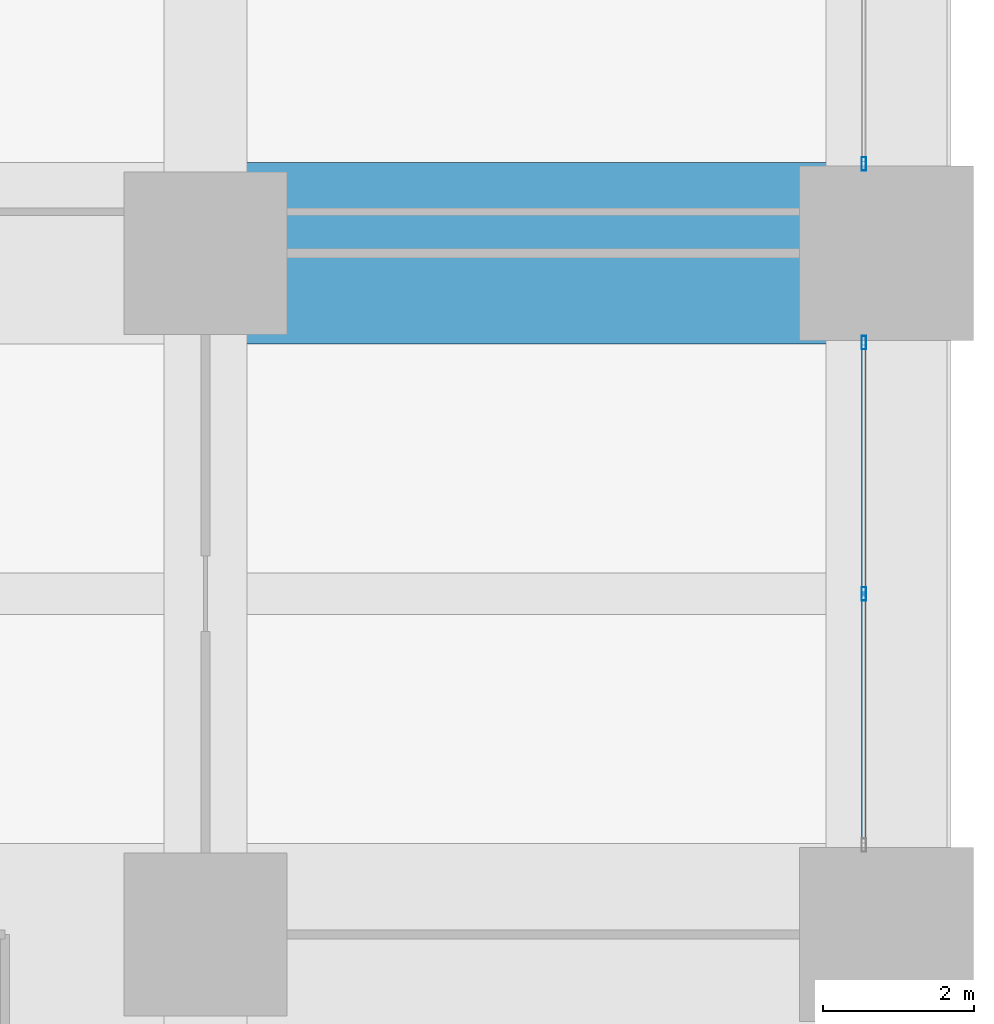
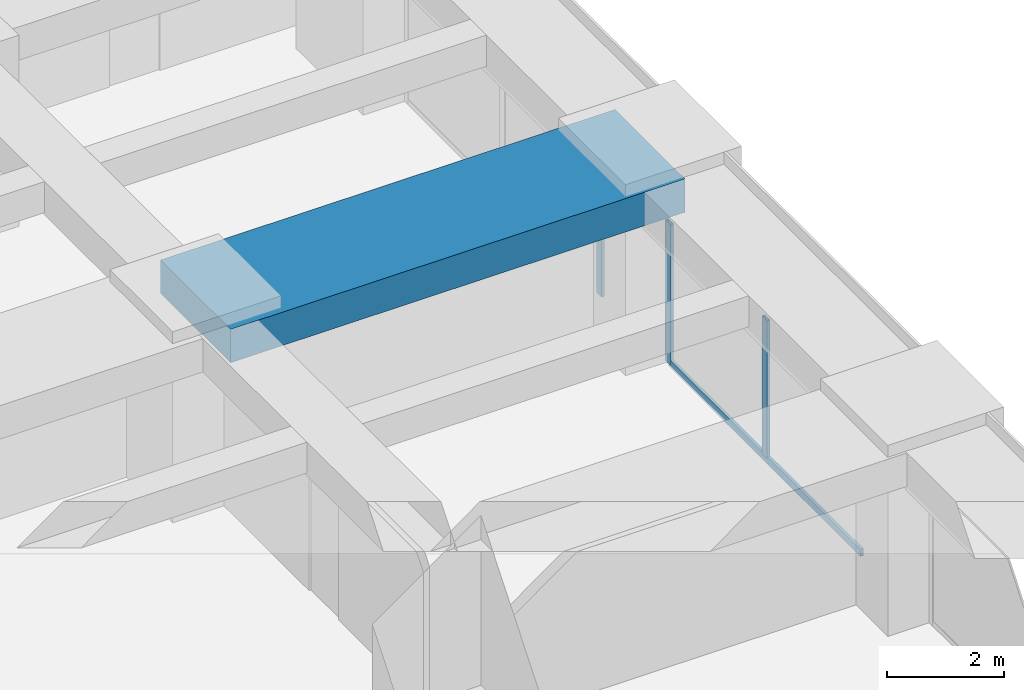
# One storey, part 31 of 44: 4 members, 1 beam, 2 elements without a shape of their own.
"""IFC4 building model written with IfcOpenShell, lengths in metres."""

import ifcopenshell
import ifcopenshell.guid

model = None  # the IFC model being written
_history = None  # IfcOwnerHistory: only IFC2X3 demands one
_inside = {}  # id of a spatial element -> (the spatial element, [elements in it])
_under = {}  # id of a project, library or spatial element -> (it, [spatial elements below it])
_declared = {}  # id of a project -> (the project, [libraries it declares])
_typed = {}  # id of a type object -> (the type object, [elements of that type])
_made_of = {}  # id of a material, layer set ... -> (it, [elements and type objects made of it])


def new_model(schema):
    """Start an empty IFC model of exactly this schema.

    Asked for "IFC4X3", IfcOpenShell would pick the latest addendum, in which some entities
    have other attributes; the version numbers below select the first issue.
    IFC2X3 requires an IfcOwnerHistory on every rooted entity: one is made here for all.
    """
    global model, _history
    if schema == "IFC4X3":
        model = ifcopenshell.file(schema_version=(4, 3, 0, 0))
    else:
        model = ifcopenshell.file(schema=schema)
    _inside.clear()
    _under.clear()
    _declared.clear()
    _typed.clear()
    _made_of.clear()
    _history = None
    if model.schema == "IFC2X3":
        org = make("IfcOrganization", Name="unknown")
        user = make(
            "IfcPersonAndOrganization",
            ThePerson=make("IfcPerson", FamilyName="unknown"),
            TheOrganization=org,
        )
        app = make(
            "IfcApplication",
            ApplicationDeveloper=org,
            Version="unknown",
            ApplicationFullName="unknown",
            ApplicationIdentifier="unknown",
        )
        _history = make(
            "IfcOwnerHistory",
            OwningUser=user,
            OwningApplication=app,
            ChangeAction="ADDED",
            CreationDate=0,
        )
    return model


def make(cls, **values):
    """One entity of the class cls with the attributes given. An attribute that is None is left unset."""
    return model.create_entity(
        cls, **{name: value for name, value in values.items() if value is not None}
    )


def rooted(cls, **values):
    """An entity with a GlobalId (a new one), such as an element, a storey or a relation."""
    return make(cls, GlobalId=ifcopenshell.guid.new(), OwnerHistory=_history, **values)


def si_unit(unit_type, name, prefix=None):
    """IfcSIUnit, for example si_unit("LENGTHUNIT", "METRE", prefix="MILLI")."""
    return make("IfcSIUnit", UnitType=unit_type, Prefix=prefix, Name=name)


def assignment(units):
    """IfcUnitAssignment: the units of a project."""
    return None if units is None else make("IfcUnitAssignment", Units=units)


def point(xyz):
    """IfcCartesianPoint."""
    return None if xyz is None else make("IfcCartesianPoint", Coordinates=xyz)


def direction(xyz):
    """IfcDirection."""
    return None if xyz is None else make("IfcDirection", DirectionRatios=xyz)


def frame(location, z_axis=None, x_axis=None):
    """IfcAxis2Placement3D, a coordinate frame: its origin and axes. An axis left out is left unset."""
    return make(
        "IfcAxis2Placement3D",
        Location=point(location),
        Axis=direction(z_axis),
        RefDirection=direction(x_axis),
    )


def frame_2d(location, x_axis=None):
    """IfcAxis2Placement2D, a coordinate frame in the plane: its origin and x axis."""
    return make(
        "IfcAxis2Placement2D", Location=point(location), RefDirection=direction(x_axis)
    )


def origin():
    """The frame at (0, 0, 0) with its axes left unset."""
    return frame((0.0, 0.0, 0.0))


def origin_2d():
    """The frame at (0, 0) in the plane with its x axis left unset."""
    return frame_2d((0.0, 0.0))


def place(relative_to, where):
    """IfcLocalPlacement: puts the frame where relative to a parent placement (None: the world)."""
    return make(
        "IfcLocalPlacement", PlacementRelTo=relative_to, RelativePlacement=where
    )


def context(
    kind, dimensions, precision=None, world=None, true_north=None, identifier=None
):
    """IfcGeometricRepresentationContext, for example the 3D "Model" context."""
    return make(
        "IfcGeometricRepresentationContext",
        ContextIdentifier=identifier,
        ContextType=kind,
        CoordinateSpaceDimension=dimensions,
        Precision=precision,
        WorldCoordinateSystem=world,
        TrueNorth=true_north,
    )


def subcontext(parent, identifier, kind, view, scale=None):
    """IfcGeometricRepresentationSubContext, for example "Body" below "Model"."""
    return make(
        "IfcGeometricRepresentationSubContext",
        ContextIdentifier=identifier,
        ContextType=kind,
        ParentContext=parent,
        TargetScale=scale,
        TargetView=view,
    )


def project(units=None, contexts=None):
    """IfcProject with its units and contexts."""
    return rooted(
        "IfcProject",
        Name="project",
        RepresentationContexts=contexts,
        UnitsInContext=assignment(units),
    )


def spatial(cls, under=None, at=None, **own):
    """A site, building, storey or space (cls), placed at a placement, below another one or the project."""
    s = rooted(cls, ObjectPlacement=at, **own)
    if under is not None:
        _under.setdefault(under.id(), (under, []))[1].append(s)
    return s


def profile(cls, at=None, kind="AREA", **sizes):
    """A parametric profile (cls). Its sizes go by their IFC names, for example OverallWidth=200.0."""
    return make(cls, ProfileType=kind, Position=at, **sizes)


def rectangle(**sizes):
    """IfcRectangleProfileDef."""
    return profile("IfcRectangleProfileDef", **sizes)


def hollow_rectangle(**sizes):
    """IfcRectangleHollowProfileDef."""
    return profile("IfcRectangleHollowProfileDef", **sizes)


def extrude(swept, where, along, depth):
    """IfcExtrudedAreaSolid: the profile swept, set in the frame where, extruded along a direction by depth."""
    return make(
        "IfcExtrudedAreaSolid",
        SweptArea=swept,
        Position=where,
        ExtrudedDirection=direction(along),
        Depth=depth,
    )


def shape(context_of_items, identifier, shape_type, items):
    """IfcShapeRepresentation: the items that make up one representation, for example the "Body"."""
    return make(
        "IfcShapeRepresentation",
        ContextOfItems=context_of_items,
        RepresentationIdentifier=identifier,
        RepresentationType=shape_type,
        Items=items,
    )


def material(Name=None, Category=None):
    """IfcMaterial."""
    return make("IfcMaterial", Name=Name, Category=Category)


def material_profile(
    of_material, cross_section, Name=None, Category=None, Priority=None
):
    """IfcMaterialProfile: a cross section and its material."""
    return make(
        "IfcMaterialProfile",
        Name=Name,
        Material=of_material,
        Profile=cross_section,
        Priority=Priority,
        Category=Category,
    )


def profile_set(profiles, Name=None, composite=None):
    """IfcMaterialProfileSet."""
    return make(
        "IfcMaterialProfileSet",
        Name=Name,
        MaterialProfiles=profiles,
        CompositeProfile=composite,
    )


def made_of(thing, what):
    """Note that an element or type object is made of a material, layer set ...; save() writes the relation."""
    if what is not None:
        _made_of.setdefault(what.id(), (what, []))[1].append(thing)
    return thing


def type_object(cls, material=None, **own):
    """A type object (cls), such as IfcWallType, which elements share."""
    return made_of(rooted(cls, **own), material)


def element(
    cls,
    number,
    at=None,
    inside=None,
    cuts=None,
    type_object=None,
    material=None,
    context=None,
    identifier="Body",
    shape_type=None,
    held_by="IfcProductDefinitionShape",
    body=None,
    shapes=None,
    **own,
):
    """One element of the class cls, such as IfcWall. Its Tag is "e" and its number.

    at: its placement. inside: the storey or other place that contains it. cuts: it is an
    opening in that element (IfcRelVoidsElement). A single representation is given by context,
    identifier, shape_type and body (its items); several are given by shapes. held_by: the class
    of the entity that holds the representations. save() writes the other relations.
    """
    e = rooted(cls, Tag="e%d" % number, ObjectPlacement=at, **own)
    if body is not None:
        shapes = [shape(context, identifier, shape_type, body)]
    if shapes is not None:
        e.Representation = make(held_by, Representations=shapes)
    if inside is not None:
        _inside.setdefault(inside.id(), (inside, []))[1].append(e)
    if cuts is not None:
        rooted(
            "IfcRelVoidsElement", RelatingBuildingElement=cuts, RelatedOpeningElement=e
        )
    if type_object is not None:
        _typed.setdefault(type_object.id(), (type_object, []))[1].append(e)
    return made_of(e, material)


def aggregate(whole, parts):
    """IfcRelAggregates: a whole, such as a stair, and the parts it consists of."""
    return rooted("IfcRelAggregates", RelatingObject=whole, RelatedObjects=parts)


def save(model, path):
    """Write the relations noted so far, then the file.

    IfcRelAggregates (storeys below a building ...), IfcRelContainedInSpatialStructure (elements
    in a storey), IfcRelDefinesByType, IfcRelAssociatesMaterial and IfcRelDeclares: one each for
    every whole, place, type object, material and project.
    """
    for whole, parts in _under.values():
        aggregate(whole, parts)
    for where, things in _inside.values():
        rooted(
            "IfcRelContainedInSpatialStructure",
            RelatedElements=things,
            RelatingStructure=where,
        )
    for kind, things in _typed.values():
        rooted("IfcRelDefinesByType", RelatedObjects=things, RelatingType=kind)
    for what, things in _made_of.values():
        rooted("IfcRelAssociatesMaterial", RelatedObjects=things, RelatingMaterial=what)
    for by, libraries in _declared.values():
        rooted("IfcRelDeclares", RelatingContext=by, RelatedDefinitions=libraries)
    model.write(path)


model = new_model("IFC4")

# Units and contexts
model_context = context("Model", 3, precision=1e-05, world=origin(), true_north=direction((0.0, 1.0)))
body_context = subcontext(model_context, "Body", "Model", "MODEL_VIEW")
ifc_project = project(units=[si_unit("LENGTHUNIT", "METRE"), si_unit("AREAUNIT", "SQUARE_METRE"), si_unit("VOLUMEUNIT", "CUBIC_METRE"), si_unit("PLANEANGLEUNIT", "RADIAN"), si_unit("MASSUNIT", "GRAM", prefix="KILO")], contexts=[model_context])

# Site, building, storey
site_placement = place(None, origin())
site = spatial("IfcSite", under=ifc_project, at=site_placement, CompositionType="ELEMENT")
building_placement = place(site_placement, origin())
building = spatial("IfcBuilding", under=site, at=building_placement, Name="Zorevar Civic Tower", CompositionType="ELEMENT")
storey_placement = place(building_placement, frame((0.0, 0.0, 63.800048828125)))
storey = spatial("IfcBuildingStorey", under=building, at=storey_placement, Name="L15", CompositionType="ELEMENT", Elevation=63.800048828125)

# Beam
ifc_material_1 = material(Name="Concrete C50/60", Category="concrete")
ifc_material_profile_1 = material_profile(ifc_material_1, rectangle(XDim=2.39990234375, YDim=0.699951171875, at=origin_2d()), Name="RC 2400x700")
ifc_profile_set_1 = profile_set([ifc_material_profile_1], Name="Concrete C50/60")
beam_type = type_object("IfcBeamType", Name="Beam RC 2400x700", PredefinedType="BEAM", material=ifc_profile_set_1)
beam_placement = place(storey_placement, frame((54.0, 36.0, 3.39990234375), z_axis=(1.0, 0.0, 0.0), x_axis=(0.0, 1.0, 0.0)))
element("IfcBeam", 1, at=beam_placement, inside=storey, type_object=beam_type, Name="Girder L16", PredefinedType="BEAM", context=body_context, shape_type="SweptSolid", body=[
    extrude(rectangle(XDim=2.39990234375, YDim=0.699951171875, at=origin_2d()), origin(), (0.0, 0.0, 1.0), 9.0),
])

# Curtain wall, members
ifc_material_2 = material(Name="Dark grey solar-control glass in black aluminium frame", Category="aluminium")
curtain_wall_type = type_object("IfcCurtainWallType", Name="Curtain wall CW2 low zone", PredefinedType="NOTDEFINED", material=ifc_material_2)
curtain_wall_1_placement = place(storey_placement, origin())
curtain_wall_1 = element("IfcCurtainWall", 2, at=curtain_wall_1_placement, inside=storey, type_object=curtain_wall_type, Name="CW2 L15", PredefinedType="NOTDEFINED")
ifc_material_3 = material(Name="Aluminium, black anodised", Category="aluminium")
ifc_material_profile_2 = material_profile(ifc_material_3, hollow_rectangle(XDim=0.06005859375, YDim=0.179931640625, WallThickness=0.00390625, at=origin_2d()), Name="AL 180x60x4")
ifc_profile_set_2 = profile_set([ifc_material_profile_2], Name="Aluminium, black anodised")
member_type_1 = type_object("IfcMemberType", Name="CW2 mullion AL 180x60x4", PredefinedType="MULLION", material=ifc_profile_set_2)
member_1_placement = place(storey_placement, frame((62.699951171875, 31.5, 0.06005859375), z_axis=(0.0, 0.0, 1.0), x_axis=(-1.0, 0.0, 0.0)))
member_1 = element("IfcMember", 3, at=member_1_placement, type_object=member_type_1, Name="CW2 mullion 2", PredefinedType="MULLION", context=body_context, shape_type="SweptSolid", body=[
    extrude(hollow_rectangle(XDim=0.06005859375, YDim=0.179931640625, WallThickness=0.00390625, at=origin_2d()), origin(), (0.0, 0.0, 1.0), 2.889892578125),
])
member_2_placement = place(storey_placement, frame((62.699951171875, 34.820068359375, 0.0), z_axis=(0.0, 0.0, 1.0), x_axis=(-1.0, 0.0, 0.0)))
member_2 = element("IfcMember", 4, at=member_2_placement, type_object=member_type_1, Name="CW2 mullion 3", PredefinedType="MULLION", context=body_context, shape_type="SweptSolid", body=[
    extrude(hollow_rectangle(XDim=0.06005859375, YDim=0.179931640625, WallThickness=0.00390625, at=origin_2d()), origin(), (0.0, 0.0, 1.0), 2.949951171875),
])

# Curtain wall, member
curtain_wall_2_placement = place(storey_placement, origin())
curtain_wall_2 = element("IfcCurtainWall", 5, at=curtain_wall_2_placement, inside=storey, type_object=curtain_wall_type, Name="CW2 L15", PredefinedType="NOTDEFINED")
member_3_placement = place(storey_placement, frame((62.699951171875, 37.179931640625, 0.0), z_axis=(0.0, 0.0, 1.0), x_axis=(-1.0, 0.0, 0.0)))
member_3 = element("IfcMember", 6, at=member_3_placement, type_object=member_type_1, Name="CW2 mullion 1", PredefinedType="MULLION", context=body_context, shape_type="SweptSolid", body=[
    extrude(hollow_rectangle(XDim=0.06005859375, YDim=0.179931640625, WallThickness=0.00390625, at=origin_2d()), origin(), (0.0, 0.0, 1.0), 2.949951171875),
])
aggregate(curtain_wall_2, [member_3])

# Member
ifc_material_4 = material(Name="Aluminium, black anodised", Category="aluminium")
ifc_material_profile_3 = material_profile(ifc_material_4, hollow_rectangle(XDim=0.06005859375, YDim=0.14990234375, WallThickness=0.00390625, at=origin_2d()), Name="AL 150x60x4")
ifc_profile_set_3 = profile_set([ifc_material_profile_3], Name="Aluminium, black anodised")
member_type_2 = type_object("IfcMemberType", Name="CW2 transom AL 150x60x4", PredefinedType="USERDEFINED", material=ifc_profile_set_3)
member_4_placement = place(storey_placement, frame((62.699951171875, 28.2099609375, 0.030029296875), z_axis=(0.0, 1.0, 0.0), x_axis=(-1.0, 0.0, 0.0)))
member_4 = element("IfcMember", 7, at=member_4_placement, type_object=member_type_2, Name="CW2 sill transom", ObjectType="TRANSOM", PredefinedType="USERDEFINED", context=body_context, shape_type="SweptSolid", body=[
    extrude(hollow_rectangle(XDim=0.06005859375, YDim=0.14990234375, WallThickness=0.00390625, at=origin_2d()), origin(), (0.0, 0.0, 1.0), 6.580078125),
])

aggregate(curtain_wall_1, [member_1, member_2, member_4])

save(model, "model.ifc")
